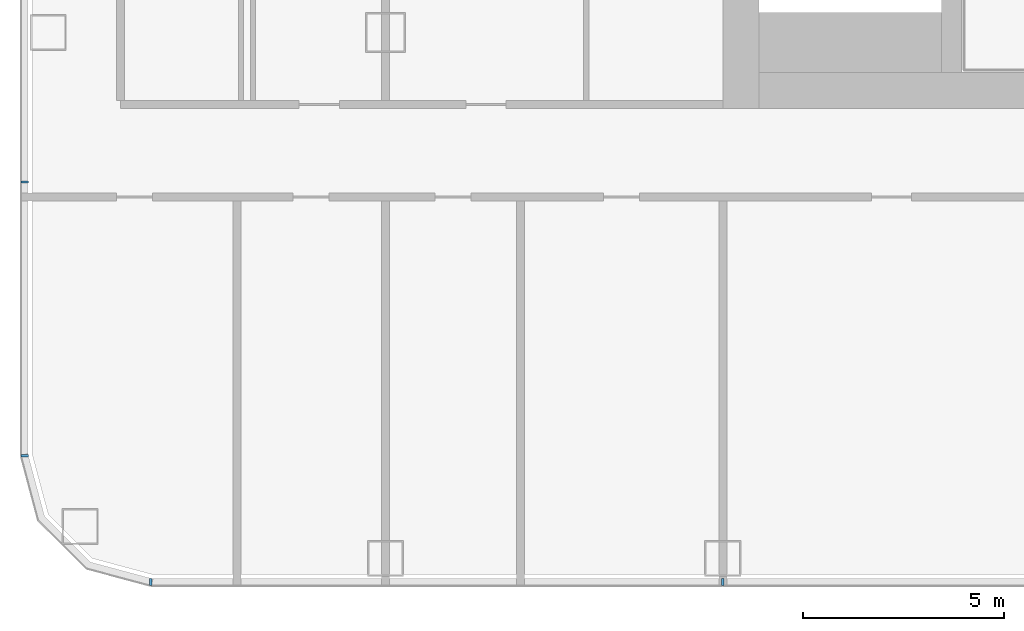
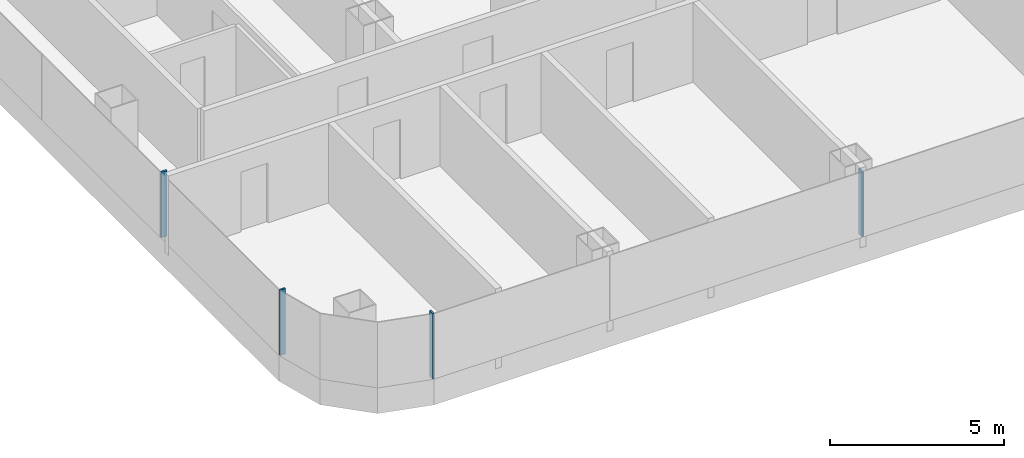
# One storey, part 2 of 28: 4 members, 2 elements without a shape of their own.
"""IFC4 building model written with IfcOpenShell, lengths in metres."""

from ifc_helpers import new_model, si_unit, direction, frame, origin, origin_2d, place, context, subcontext, project, spatial, rectangle, extrude, material, layer, layer_set, material_profile, profile_set, type_object, element, aggregate, save


model = new_model("IFC4")

# Units and contexts
model_context = context("Model", 3, precision=1e-05, world=origin(), true_north=direction((0.0, 1.0)))
body_context = subcontext(model_context, "Body", "Model", "MODEL_VIEW")
ifc_project = project(units=[si_unit("LENGTHUNIT", "METRE"), si_unit("AREAUNIT", "SQUARE_METRE"), si_unit("VOLUMEUNIT", "CUBIC_METRE"), si_unit("PLANEANGLEUNIT", "RADIAN"), si_unit("MASSUNIT", "GRAM", prefix="KILO")], contexts=[model_context])

# Site, building, storey
site_placement = place(None, origin())
site = spatial("IfcSite", under=ifc_project, at=site_placement, CompositionType="ELEMENT")
building_placement = place(site_placement, origin())
building = spatial("IfcBuilding", under=site, at=building_placement, Name="Hakoniwa Tower and Hamabe Station Hall", CompositionType="ELEMENT")
storey_placement = place(building_placement, frame((0.0, 0.0, 42.199951171875)))
storey = spatial("IfcBuildingStorey", under=building, at=storey_placement, Name="L11", CompositionType="ELEMENT", Elevation=42.199951171875)

# Curtain wall, members
ifc_material_1 = material(Name="Dark low-e laminated glass", Category="glass")
ifc_layer = layer(ifc_material_1, 0.199951171875)
ifc_layer_set = layer_set([ifc_layer], Name="CW-1 UNITISED GUEST")
curtain_wall_type = type_object("IfcCurtainWallType", Name="CW-1 UNITISED GUEST", PredefinedType="NOTDEFINED", material=ifc_layer_set)
curtain_wall_1_placement = place(storey_placement, origin())
curtain_wall_1 = element("IfcCurtainWall", 1, at=curtain_wall_1_placement, inside=storey, type_object=curtain_wall_type, Name="CW-1 curtain wall", PredefinedType="NOTDEFINED")
ifc_material_2 = material(Name="Aluminium 6063-T5 black anodised", Category="aluminium")
ifc_material_profile = material_profile(ifc_material_2, rectangle(XDim=0.06005859375, YDim=0.179931640625, at=origin_2d()), Name="CW-1 MULLION 60X180")
ifc_profile_set = profile_set([ifc_material_profile], Name="Aluminium 6063-T5 black anodised")
member_type = type_object("IfcMemberType", Name="CW-1 MULLION 60X180", PredefinedType="MULLION", material=ifc_profile_set)
member_1_placement = place(storey_placement, frame((-50.98193359375, -10.2236328125, 0.35009765625), z_axis=(0.0, 0.0, 1.0), x_axis=(0.0, -1.0, 0.0)))
member_1 = element("IfcMember", 2, at=member_1_placement, type_object=member_type, Name="CW-1 mullion", PredefinedType="MULLION", context=body_context, shape_type="SweptSolid", body=[
    extrude(rectangle(XDim=0.06005859375, YDim=0.179931640625, at=origin_2d()), origin(), (0.0, 0.0, 1.0), 2.300048828125),
])
member_2_placement = place(storey_placement, frame((-50.98193359375, -17.03955078125, 0.35009765625), z_axis=(0.0, 0.0, 1.0), x_axis=(0.0, -1.0, 0.0)))
member_2 = element("IfcMember", 3, at=member_2_placement, type_object=member_type, Name="CW-1 mullion", PredefinedType="MULLION", context=body_context, shape_type="SweptSolid", body=[
    extrude(rectangle(XDim=0.06005859375, YDim=0.179931640625, at=origin_2d()), origin(), (0.0, 0.0, 1.0), 2.300048828125),
])
aggregate(curtain_wall_1, [member_1, member_2])

curtain_wall_2_placement = place(storey_placement, origin())
curtain_wall_2 = element("IfcCurtainWall", 4, at=curtain_wall_2_placement, inside=storey, type_object=curtain_wall_type, Name="CW-1 curtain wall", PredefinedType="NOTDEFINED")
member_3_placement = place(storey_placement, frame((-47.839599609375, -20.181884765625, 0.35009765625), z_axis=(0.0, 0.0, 1.0), x_axis=(1.0, 0.0, 0.0)))
member_3 = element("IfcMember", 5, at=member_3_placement, type_object=member_type, Name="CW-1 mullion", PredefinedType="MULLION", context=body_context, shape_type="SweptSolid", body=[
    extrude(rectangle(XDim=0.06005859375, YDim=0.179931640625, at=origin_2d()), origin(), (0.0, 0.0, 1.0), 2.300048828125),
])
member_4_placement = place(storey_placement, frame((-33.60009765625, -20.181884765625, 0.35009765625), z_axis=(0.0, 0.0, 1.0), x_axis=(1.0, 0.0, 0.0)))
member_4 = element("IfcMember", 6, at=member_4_placement, type_object=member_type, Name="CW-1 mullion", PredefinedType="MULLION", context=body_context, shape_type="SweptSolid", body=[
    extrude(rectangle(XDim=0.06005859375, YDim=0.179931640625, at=origin_2d()), origin(), (0.0, 0.0, 1.0), 2.300048828125),
])
aggregate(curtain_wall_2, [member_3, member_4])

save(model, "model.ifc")
